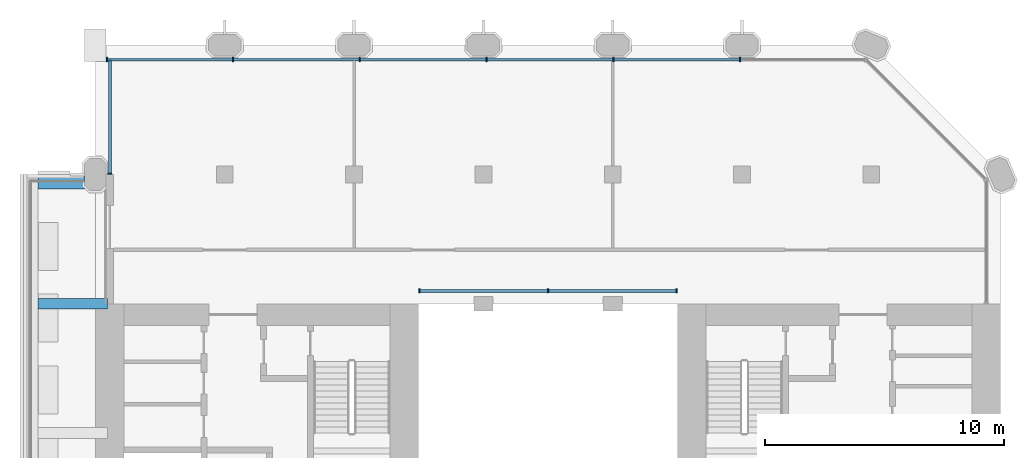
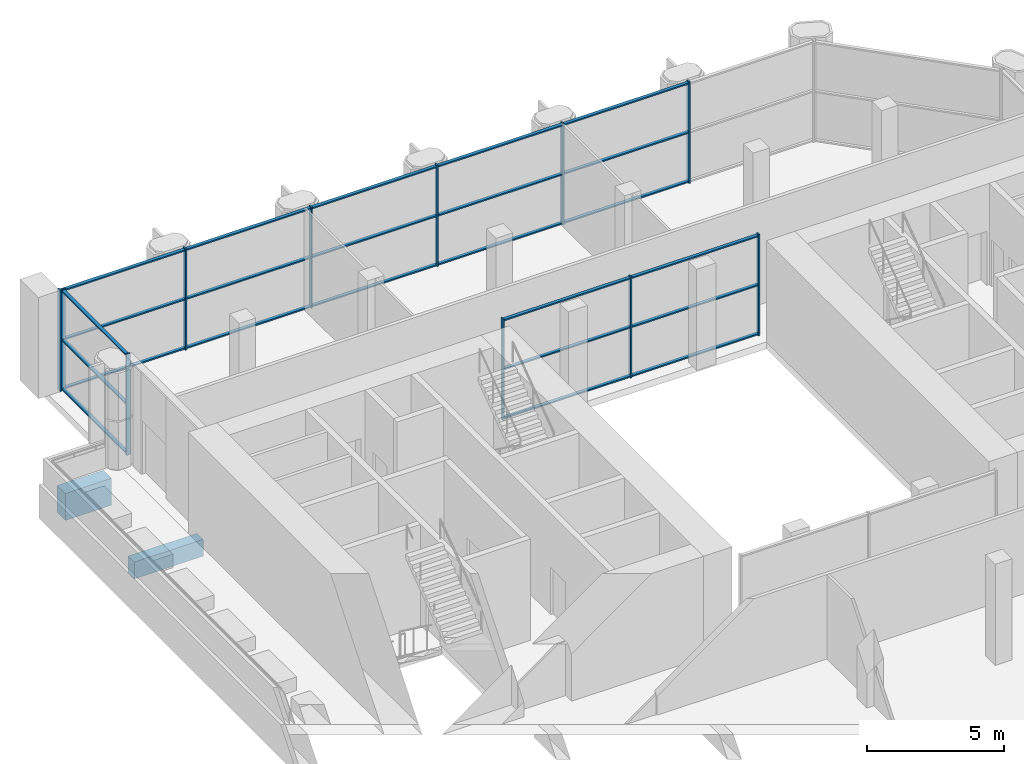
# One storey, part 6 of 14: 35 members, 2 beams, 3 elements without a shape of their own.
"""IFC4 building model written with IfcOpenShell, lengths in metres."""

from ifc_helpers import new_model, si_unit, direction, frame, origin, origin_2d, place, context, subcontext, project, spatial, rectangle, extrude, material, material_profile, profile_set, type_object, element, aggregate, save


model = new_model("IFC4")

# Units and contexts
model_context = context("Model", 3, precision=1e-05, world=origin(), true_north=direction((0.0, 1.0)))
body_context = subcontext(model_context, "Body", "Model", "MODEL_VIEW")
ifc_project = project(units=[si_unit("LENGTHUNIT", "METRE"), si_unit("AREAUNIT", "SQUARE_METRE"), si_unit("VOLUMEUNIT", "CUBIC_METRE"), si_unit("PLANEANGLEUNIT", "RADIAN"), si_unit("MASSUNIT", "GRAM", prefix="KILO")], contexts=[model_context])

# Site, building, storey
site_placement = place(None, origin())
site = spatial("IfcSite", under=ifc_project, at=site_placement, CompositionType="ELEMENT")
building_placement = place(site_placement, origin())
building = spatial("IfcBuilding", under=site, at=building_placement, Name="Tabaq Tower and Sports Hall", CompositionType="ELEMENT")
storey_placement = place(building_placement, frame((0.0, 0.0, 260.5)))
storey = spatial("IfcBuildingStorey", under=building, at=storey_placement, Name="L63", CompositionType="ELEMENT", Elevation=260.5)

# Curtain wall, members
ifc_material_1 = material(Name="Aluminium alloy 6063-T6 framed glazing", Category="aluminium")
curtain_wall_type_1 = type_object("IfcCurtainWallType", Name="CW1 curtain wall", PredefinedType="USERDEFINED", material=ifc_material_1)
curtain_wall_1_placement = place(storey_placement, origin())
curtain_wall_1 = element("IfcCurtainWall", 1, at=curtain_wall_1_placement, inside=storey, type_object=curtain_wall_type_1, Name="Atrium glazing L63 N", ObjectType="ATRIUM ENCLOSURE", PredefinedType="USERDEFINED")
ifc_material_2 = material(Name="Aluminium alloy 6063-T6", Category="aluminium")
ifc_material_profile_1 = material_profile(ifc_material_2, rectangle(XDim=0.159912109375, YDim=0.06005859375, at=origin_2d()), Name="MULLION 160x60")
ifc_profile_set_1 = profile_set([ifc_material_profile_1], Name="Aluminium alloy 6063-T6")
member_type_1 = type_object("IfcMemberType", Name="CW1 mullion 160x60", PredefinedType="MULLION", material=ifc_profile_set_1)
member_1_placement = place(storey_placement, frame((18.929931640625, 32.949951171875, 0.0), z_axis=(0.0, 0.0, 1.0), x_axis=(0.0, 1.0, 0.0)))
member_1 = element("IfcMember", 2, at=member_1_placement, type_object=member_type_1, Name="CW1 mullion 1", PredefinedType="MULLION", context=body_context, shape_type="SweptSolid", body=[
    extrude(rectangle(XDim=0.159912109375, YDim=0.06005859375, at=origin_2d()), origin(), (0.0, 0.0, 1.0), 4.5),
])
member_2_placement = place(storey_placement, frame((24.300048828125, 32.949951171875, 0.0), z_axis=(0.0, 0.0, 1.0), x_axis=(0.0, 1.0, 0.0)))
member_2 = element("IfcMember", 3, at=member_2_placement, type_object=member_type_1, Name="CW1 mullion 2", PredefinedType="MULLION", context=body_context, shape_type="SweptSolid", body=[
    extrude(rectangle(XDim=0.159912109375, YDim=0.06005859375, at=origin_2d()), origin(), (0.0, 0.0, 1.0), 4.5),
])
member_3_placement = place(storey_placement, frame((29.669921875, 32.949951171875, 0.0), z_axis=(0.0, 0.0, 1.0), x_axis=(0.0, 1.0, 0.0)))
member_3 = element("IfcMember", 4, at=member_3_placement, type_object=member_type_1, Name="CW1 mullion 3", PredefinedType="MULLION", context=body_context, shape_type="SweptSolid", body=[
    extrude(rectangle(XDim=0.159912109375, YDim=0.06005859375, at=origin_2d()), origin(), (0.0, 0.0, 1.0), 4.5),
])
ifc_material_3 = material(Name="Aluminium alloy 6063-T6", Category="aluminium")
ifc_material_profile_2 = material_profile(ifc_material_3, rectangle(XDim=0.139892578125, YDim=0.06005859375, at=origin_2d()), Name="TRANSOM 140x60")
ifc_profile_set_2 = profile_set([ifc_material_profile_2], Name="Aluminium alloy 6063-T6")
member_type_2 = type_object("IfcMemberType", Name="CW1 transom 140x60", PredefinedType="USERDEFINED", material=ifc_profile_set_2)
member_4_placement = place(storey_placement, frame((18.9599609375, 32.949951171875, 0.070068359375), z_axis=(1.0, 0.0, 0.0), x_axis=(0.0, 1.0, 0.0)))
member_4 = element("IfcMember", 5, at=member_4_placement, type_object=member_type_2, Name="CW1 transom 1.1", ObjectType="TRANSOM", PredefinedType="USERDEFINED", context=body_context, shape_type="SweptSolid", body=[
    extrude(rectangle(XDim=0.139892578125, YDim=0.06005859375, at=origin_2d()), origin(), (0.0, 0.0, 1.0), 5.31005859375),
])
member_5_placement = place(storey_placement, frame((18.9599609375, 32.949951171875, 2.25), z_axis=(1.0, 0.0, 0.0), x_axis=(0.0, 1.0, 0.0)))
member_5 = element("IfcMember", 6, at=member_5_placement, type_object=member_type_2, Name="CW1 transom 1.2", ObjectType="TRANSOM", PredefinedType="USERDEFINED", context=body_context, shape_type="SweptSolid", body=[
    extrude(rectangle(XDim=0.139892578125, YDim=0.06005859375, at=origin_2d()), origin(), (0.0, 0.0, 1.0), 5.31005859375),
])
member_6_placement = place(storey_placement, frame((18.9599609375, 32.949951171875, 4.429931640625), z_axis=(1.0, 0.0, 0.0), x_axis=(0.0, 1.0, 0.0)))
member_6 = element("IfcMember", 7, at=member_6_placement, type_object=member_type_2, Name="CW1 transom 1.3", ObjectType="TRANSOM", PredefinedType="USERDEFINED", context=body_context, shape_type="SweptSolid", body=[
    extrude(rectangle(XDim=0.139892578125, YDim=0.06005859375, at=origin_2d()), origin(), (0.0, 0.0, 1.0), 5.31005859375),
])
member_7_placement = place(storey_placement, frame((24.330078125, 32.949951171875, 0.070068359375), z_axis=(1.0, 0.0, 0.0), x_axis=(0.0, 1.0, 0.0)))
member_7 = element("IfcMember", 8, at=member_7_placement, type_object=member_type_2, Name="CW1 transom 2.1", ObjectType="TRANSOM", PredefinedType="USERDEFINED", context=body_context, shape_type="SweptSolid", body=[
    extrude(rectangle(XDim=0.139892578125, YDim=0.06005859375, at=origin_2d()), origin(), (0.0, 0.0, 1.0), 5.309814453125),
])
member_8_placement = place(storey_placement, frame((24.330078125, 32.949951171875, 2.25), z_axis=(1.0, 0.0, 0.0), x_axis=(0.0, 1.0, 0.0)))
member_8 = element("IfcMember", 9, at=member_8_placement, type_object=member_type_2, Name="CW1 transom 2.2", ObjectType="TRANSOM", PredefinedType="USERDEFINED", context=body_context, shape_type="SweptSolid", body=[
    extrude(rectangle(XDim=0.139892578125, YDim=0.06005859375, at=origin_2d()), origin(), (0.0, 0.0, 1.0), 5.309814453125),
])
member_9_placement = place(storey_placement, frame((24.330078125, 32.949951171875, 4.429931640625), z_axis=(1.0, 0.0, 0.0), x_axis=(0.0, 1.0, 0.0)))
member_9 = element("IfcMember", 10, at=member_9_placement, type_object=member_type_2, Name="CW1 transom 2.3", ObjectType="TRANSOM", PredefinedType="USERDEFINED", context=body_context, shape_type="SweptSolid", body=[
    extrude(rectangle(XDim=0.139892578125, YDim=0.06005859375, at=origin_2d()), origin(), (0.0, 0.0, 1.0), 5.309814453125),
])
aggregate(curtain_wall_1, [member_1, member_2, member_3, member_4, member_5, member_6, member_7, member_8, member_9])

ifc_material_4 = material(Name="Aluminium alloy 6063-T6 framed glazing", Category="aluminium")
curtain_wall_type_2 = type_object("IfcCurtainWallType", Name="CW3 curtain wall", PredefinedType="USERDEFINED", material=ifc_material_4)
curtain_wall_2_placement = place(storey_placement, origin())
curtain_wall_2 = element("IfcCurtainWall", 11, at=curtain_wall_2_placement, inside=storey, type_object=curtain_wall_type_2, Name="Garden Floor Wall L63 N", ObjectType="GARDEN FLOOR WALL", PredefinedType="USERDEFINED")
ifc_material_5 = material(Name="Aluminium alloy 6063-T6", Category="aluminium")
ifc_material_profile_3 = material_profile(ifc_material_5, rectangle(XDim=0.179931640625, YDim=0.06005859375, at=origin_2d()), Name="MULLION 180x60")
ifc_profile_set_3 = profile_set([ifc_material_profile_3], Name="Aluminium alloy 6063-T6")
member_type_3 = type_object("IfcMemberType", Name="CW3 mullion 180x60", PredefinedType="MULLION", material=ifc_profile_set_3)
member_10_placement = place(storey_placement, frame((32.319580078125, 42.60009765625, 0.0), z_axis=(0.0, 0.0, 1.0), x_axis=(0.0, -1.0, 0.0)))
member_10 = element("IfcMember", 12, at=member_10_placement, type_object=member_type_3, Name="CW3 mullion 2", PredefinedType="MULLION", context=body_context, shape_type="SweptSolid", body=[
    extrude(rectangle(XDim=0.179931640625, YDim=0.06005859375, at=origin_2d()), origin(), (0.0, 0.0, 1.0), 4.5),
])
member_11_placement = place(storey_placement, frame((27.025634765625, 42.60009765625, 0.0), z_axis=(0.0, 0.0, 1.0), x_axis=(0.0, -1.0, 0.0)))
member_11 = element("IfcMember", 13, at=member_11_placement, type_object=member_type_3, Name="CW3 mullion 3", PredefinedType="MULLION", context=body_context, shape_type="SweptSolid", body=[
    extrude(rectangle(XDim=0.179931640625, YDim=0.06005859375, at=origin_2d()), origin(), (0.0, 0.0, 1.0), 4.5),
])
member_12_placement = place(storey_placement, frame((21.731689453125, 42.60009765625, 0.0), z_axis=(0.0, 0.0, 1.0), x_axis=(0.0, -1.0, 0.0)))
member_12 = element("IfcMember", 14, at=member_12_placement, type_object=member_type_3, Name="CW3 mullion 4", PredefinedType="MULLION", context=body_context, shape_type="SweptSolid", body=[
    extrude(rectangle(XDim=0.179931640625, YDim=0.06005859375, at=origin_2d()), origin(), (0.0, 0.0, 1.0), 4.5),
])
member_13_placement = place(storey_placement, frame((16.43798828125, 42.60009765625, 0.0), z_axis=(0.0, 0.0, 1.0), x_axis=(0.0, -1.0, 0.0)))
member_13 = element("IfcMember", 15, at=member_13_placement, type_object=member_type_3, Name="CW3 mullion 5", PredefinedType="MULLION", context=body_context, shape_type="SweptSolid", body=[
    extrude(rectangle(XDim=0.179931640625, YDim=0.06005859375, at=origin_2d()), origin(), (0.0, 0.0, 1.0), 4.5),
])
member_14_placement = place(storey_placement, frame((11.14404296875, 42.60009765625, 0.0), z_axis=(0.0, 0.0, 1.0), x_axis=(0.0, -1.0, 0.0)))
member_14 = element("IfcMember", 16, at=member_14_placement, type_object=member_type_3, Name="CW3 mullion 6", PredefinedType="MULLION", context=body_context, shape_type="SweptSolid", body=[
    extrude(rectangle(XDim=0.179931640625, YDim=0.06005859375, at=origin_2d()), origin(), (0.0, 0.0, 1.0), 4.5),
])
member_15_placement = place(storey_placement, frame((5.8798828125, 42.60009765625, 0.0), z_axis=(0.0, 0.0, 1.0), x_axis=(0.0, -1.0, 0.0)))
member_15 = element("IfcMember", 17, at=member_15_placement, type_object=member_type_3, Name="CW3 mullion 7", PredefinedType="MULLION", context=body_context, shape_type="SweptSolid", body=[
    extrude(rectangle(XDim=0.179931640625, YDim=0.06005859375, at=origin_2d()), origin(), (0.0, 0.0, 1.0), 4.5),
])

curtain_wall_3_placement = place(storey_placement, origin())
curtain_wall_3 = element("IfcCurtainWall", 18, at=curtain_wall_3_placement, inside=storey, type_object=curtain_wall_type_2, Name="Garden Floor Wall L63 W", ObjectType="GARDEN FLOOR WALL", PredefinedType="USERDEFINED")
member_16_placement = place(storey_placement, frame((6.0, 42.570068359375, 0.0), z_axis=(0.0, 0.0, 1.0), x_axis=(1.0, 0.0, 0.0)))
member_16 = element("IfcMember", 19, at=member_16_placement, type_object=member_type_3, Name="CW3 mullion 1", PredefinedType="MULLION", context=body_context, shape_type="SweptSolid", body=[
    extrude(rectangle(XDim=0.179931640625, YDim=0.06005859375, at=origin_2d()), origin(), (0.0, 0.0, 1.0), 4.5),
])
member_17_placement = place(storey_placement, frame((6.0, 37.830078125, 0.0), z_axis=(0.0, 0.0, 1.0), x_axis=(1.0, 0.0, 0.0)))
member_17 = element("IfcMember", 20, at=member_17_placement, type_object=member_type_3, Name="CW3 mullion 2", PredefinedType="MULLION", context=body_context, shape_type="SweptSolid", body=[
    extrude(rectangle(XDim=0.179931640625, YDim=0.06005859375, at=origin_2d()), origin(), (0.0, 0.0, 1.0), 4.5),
])

# Member
ifc_material_6 = material(Name="Aluminium alloy 6063-T6", Category="aluminium")
ifc_material_profile_4 = material_profile(ifc_material_6, rectangle(XDim=0.139892578125, YDim=0.06005859375, at=origin_2d()), Name="TRANSOM 140x60")
ifc_profile_set_4 = profile_set([ifc_material_profile_4], Name="Aluminium alloy 6063-T6")
member_type_4 = type_object("IfcMemberType", Name="CW3 transom 140x60", PredefinedType="USERDEFINED", material=ifc_profile_set_4)
member_18_placement = place(storey_placement, frame((32.28955078125, 42.60009765625, 0.070068359375), z_axis=(-1.0, 0.0, 0.0), x_axis=(0.0, -1.0, 0.0)))
member_18 = element("IfcMember", 21, at=member_18_placement, type_object=member_type_4, Name="CW3 transom 2.1", ObjectType="TRANSOM", PredefinedType="USERDEFINED", context=body_context, shape_type="SweptSolid", body=[
    extrude(rectangle(XDim=0.139892578125, YDim=0.06005859375, at=origin_2d()), origin(), (0.0, 0.0, 1.0), 5.23388671875),
])

member_19_placement = place(storey_placement, frame((32.28955078125, 42.60009765625, 2.25), z_axis=(-1.0, 0.0, 0.0), x_axis=(0.0, -1.0, 0.0)))
member_19 = element("IfcMember", 22, at=member_19_placement, type_object=member_type_4, Name="CW3 transom 2.2", ObjectType="TRANSOM", PredefinedType="USERDEFINED", context=body_context, shape_type="SweptSolid", body=[
    extrude(rectangle(XDim=0.139892578125, YDim=0.06005859375, at=origin_2d()), origin(), (0.0, 0.0, 1.0), 5.23388671875),
])

member_20_placement = place(storey_placement, frame((32.28955078125, 42.60009765625, 4.429931640625), z_axis=(-1.0, 0.0, 0.0), x_axis=(0.0, -1.0, 0.0)))
member_20 = element("IfcMember", 23, at=member_20_placement, type_object=member_type_4, Name="CW3 transom 2.3", ObjectType="TRANSOM", PredefinedType="USERDEFINED", context=body_context, shape_type="SweptSolid", body=[
    extrude(rectangle(XDim=0.139892578125, YDim=0.06005859375, at=origin_2d()), origin(), (0.0, 0.0, 1.0), 5.23388671875),
])

member_21_placement = place(storey_placement, frame((26.995849609375, 42.60009765625, 0.070068359375), z_axis=(-1.0, 0.0, 0.0), x_axis=(0.0, -1.0, 0.0)))
member_21 = element("IfcMember", 24, at=member_21_placement, type_object=member_type_4, Name="CW3 transom 3.1", ObjectType="TRANSOM", PredefinedType="USERDEFINED", context=body_context, shape_type="SweptSolid", body=[
    extrude(rectangle(XDim=0.139892578125, YDim=0.06005859375, at=origin_2d()), origin(), (0.0, 0.0, 1.0), 5.234130859375),
])

member_22_placement = place(storey_placement, frame((26.995849609375, 42.60009765625, 2.25), z_axis=(-1.0, 0.0, 0.0), x_axis=(0.0, -1.0, 0.0)))
member_22 = element("IfcMember", 25, at=member_22_placement, type_object=member_type_4, Name="CW3 transom 3.2", ObjectType="TRANSOM", PredefinedType="USERDEFINED", context=body_context, shape_type="SweptSolid", body=[
    extrude(rectangle(XDim=0.139892578125, YDim=0.06005859375, at=origin_2d()), origin(), (0.0, 0.0, 1.0), 5.234130859375),
])

member_23_placement = place(storey_placement, frame((26.995849609375, 42.60009765625, 4.429931640625), z_axis=(-1.0, 0.0, 0.0), x_axis=(0.0, -1.0, 0.0)))
member_23 = element("IfcMember", 26, at=member_23_placement, type_object=member_type_4, Name="CW3 transom 3.3", ObjectType="TRANSOM", PredefinedType="USERDEFINED", context=body_context, shape_type="SweptSolid", body=[
    extrude(rectangle(XDim=0.139892578125, YDim=0.06005859375, at=origin_2d()), origin(), (0.0, 0.0, 1.0), 5.234130859375),
])

member_24_placement = place(storey_placement, frame((21.701904296875, 42.60009765625, 0.070068359375), z_axis=(-1.0, 0.0, 0.0), x_axis=(0.0, -1.0, 0.0)))
member_24 = element("IfcMember", 27, at=member_24_placement, type_object=member_type_4, Name="CW3 transom 4.1", ObjectType="TRANSOM", PredefinedType="USERDEFINED", context=body_context, shape_type="SweptSolid", body=[
    extrude(rectangle(XDim=0.139892578125, YDim=0.06005859375, at=origin_2d()), origin(), (0.0, 0.0, 1.0), 5.234130859375),
])

member_25_placement = place(storey_placement, frame((21.701904296875, 42.60009765625, 2.25), z_axis=(-1.0, 0.0, 0.0), x_axis=(0.0, -1.0, 0.0)))
member_25 = element("IfcMember", 28, at=member_25_placement, type_object=member_type_4, Name="CW3 transom 4.2", ObjectType="TRANSOM", PredefinedType="USERDEFINED", context=body_context, shape_type="SweptSolid", body=[
    extrude(rectangle(XDim=0.139892578125, YDim=0.06005859375, at=origin_2d()), origin(), (0.0, 0.0, 1.0), 5.234130859375),
])

member_26_placement = place(storey_placement, frame((21.701904296875, 42.60009765625, 4.429931640625), z_axis=(-1.0, 0.0, 0.0), x_axis=(0.0, -1.0, 0.0)))
member_26 = element("IfcMember", 29, at=member_26_placement, type_object=member_type_4, Name="CW3 transom 4.3", ObjectType="TRANSOM", PredefinedType="USERDEFINED", context=body_context, shape_type="SweptSolid", body=[
    extrude(rectangle(XDim=0.139892578125, YDim=0.06005859375, at=origin_2d()), origin(), (0.0, 0.0, 1.0), 5.234130859375),
])

member_27_placement = place(storey_placement, frame((16.407958984375, 42.60009765625, 0.070068359375), z_axis=(-1.0, 0.0, 0.0), x_axis=(0.0, -1.0, 0.0)))
member_27 = element("IfcMember", 30, at=member_27_placement, type_object=member_type_4, Name="CW3 transom 5.1", ObjectType="TRANSOM", PredefinedType="USERDEFINED", context=body_context, shape_type="SweptSolid", body=[
    extrude(rectangle(XDim=0.139892578125, YDim=0.06005859375, at=origin_2d()), origin(), (0.0, 0.0, 1.0), 5.234130859375),
])

member_28_placement = place(storey_placement, frame((16.407958984375, 42.60009765625, 2.25), z_axis=(-1.0, 0.0, 0.0), x_axis=(0.0, -1.0, 0.0)))
member_28 = element("IfcMember", 31, at=member_28_placement, type_object=member_type_4, Name="CW3 transom 5.2", ObjectType="TRANSOM", PredefinedType="USERDEFINED", context=body_context, shape_type="SweptSolid", body=[
    extrude(rectangle(XDim=0.139892578125, YDim=0.06005859375, at=origin_2d()), origin(), (0.0, 0.0, 1.0), 5.234130859375),
])

member_29_placement = place(storey_placement, frame((16.407958984375, 42.60009765625, 4.429931640625), z_axis=(-1.0, 0.0, 0.0), x_axis=(0.0, -1.0, 0.0)))
member_29 = element("IfcMember", 32, at=member_29_placement, type_object=member_type_4, Name="CW3 transom 5.3", ObjectType="TRANSOM", PredefinedType="USERDEFINED", context=body_context, shape_type="SweptSolid", body=[
    extrude(rectangle(XDim=0.139892578125, YDim=0.06005859375, at=origin_2d()), origin(), (0.0, 0.0, 1.0), 5.234130859375),
])

member_30_placement = place(storey_placement, frame((11.114013671875, 42.60009765625, 0.070068359375), z_axis=(-1.0, 0.0, 0.0), x_axis=(0.0, -1.0, 0.0)))
member_30 = element("IfcMember", 33, at=member_30_placement, type_object=member_type_4, Name="CW3 transom 6.1", ObjectType="TRANSOM", PredefinedType="USERDEFINED", context=body_context, shape_type="SweptSolid", body=[
    extrude(rectangle(XDim=0.139892578125, YDim=0.06005859375, at=origin_2d()), origin(), (0.0, 0.0, 1.0), 5.2041015625),
])

member_31_placement = place(storey_placement, frame((11.114013671875, 42.60009765625, 2.25), z_axis=(-1.0, 0.0, 0.0), x_axis=(0.0, -1.0, 0.0)))
member_31 = element("IfcMember", 34, at=member_31_placement, type_object=member_type_4, Name="CW3 transom 6.2", ObjectType="TRANSOM", PredefinedType="USERDEFINED", context=body_context, shape_type="SweptSolid", body=[
    extrude(rectangle(XDim=0.139892578125, YDim=0.06005859375, at=origin_2d()), origin(), (0.0, 0.0, 1.0), 5.2041015625),
])

member_32_placement = place(storey_placement, frame((11.114013671875, 42.60009765625, 4.429931640625), z_axis=(-1.0, 0.0, 0.0), x_axis=(0.0, -1.0, 0.0)))
member_32 = element("IfcMember", 35, at=member_32_placement, type_object=member_type_4, Name="CW3 transom 6.3", ObjectType="TRANSOM", PredefinedType="USERDEFINED", context=body_context, shape_type="SweptSolid", body=[
    extrude(rectangle(XDim=0.139892578125, YDim=0.06005859375, at=origin_2d()), origin(), (0.0, 0.0, 1.0), 5.2041015625),
])

aggregate(curtain_wall_2, [member_10, member_11, member_12, member_13, member_14, member_15, member_18, member_19, member_20, member_21, member_22, member_23, member_24, member_25, member_26, member_27, member_28, member_29, member_30, member_31, member_32])

member_33_placement = place(storey_placement, frame((6.0, 42.5400390625, 0.070068359375), z_axis=(0.0, -1.0, 0.0), x_axis=(1.0, 0.0, 0.0)))
member_33 = element("IfcMember", 36, at=member_33_placement, type_object=member_type_4, Name="CW3 transom 1.1", ObjectType="TRANSOM", PredefinedType="USERDEFINED", context=body_context, shape_type="SweptSolid", body=[
    extrude(rectangle(XDim=0.139892578125, YDim=0.06005859375, at=origin_2d()), origin(), (0.0, 0.0, 1.0), 4.679931640625),
])

member_34_placement = place(storey_placement, frame((6.0, 42.5400390625, 2.25), z_axis=(0.0, -1.0, 0.0), x_axis=(1.0, 0.0, 0.0)))
member_34 = element("IfcMember", 37, at=member_34_placement, type_object=member_type_4, Name="CW3 transom 1.2", ObjectType="TRANSOM", PredefinedType="USERDEFINED", context=body_context, shape_type="SweptSolid", body=[
    extrude(rectangle(XDim=0.139892578125, YDim=0.06005859375, at=origin_2d()), origin(), (0.0, 0.0, 1.0), 4.679931640625),
])

member_35_placement = place(storey_placement, frame((6.0, 42.5400390625, 4.429931640625), z_axis=(0.0, -1.0, 0.0), x_axis=(1.0, 0.0, 0.0)))
member_35 = element("IfcMember", 38, at=member_35_placement, type_object=member_type_4, Name="CW3 transom 1.3", ObjectType="TRANSOM", PredefinedType="USERDEFINED", context=body_context, shape_type="SweptSolid", body=[
    extrude(rectangle(XDim=0.139892578125, YDim=0.06005859375, at=origin_2d()), origin(), (0.0, 0.0, 1.0), 4.679931640625),
])

aggregate(curtain_wall_3, [member_16, member_17, member_33, member_34, member_35])

# Beams
ifc_material_7 = material(Name="Concrete C40/50", Category="concrete")
ifc_material_profile_5 = material_profile(ifc_material_7, rectangle(XDim=0.60009765625, YDim=1.199951171875, at=origin_2d()), Name="EBT 600x1200")
ifc_profile_set_5 = profile_set([ifc_material_profile_5], Name="Concrete C40/50")
beam_type_1 = type_object("IfcBeamType", Name="Concrete C40/50 PT edge band EBT 600x1200", PredefinedType="BEAM", material=ifc_profile_set_5)
beam_1_placement = place(storey_placement, frame((4.949951171875, 37.5, -0.89990234375), z_axis=(-1.0, 0.0, 0.0), x_axis=(0.0, -1.0, 0.0)))
element("IfcBeam", 39, at=beam_1_placement, inside=storey, type_object=beam_type_1, Name="Tray edge band L63", PredefinedType="BEAM", context=body_context, shape_type="SweptSolid", body=[
    extrude(rectangle(XDim=0.60009765625, YDim=1.199951171875, at=origin_2d()), origin(), (0.0, 0.0, 1.0), 1.949951171875),
])
ifc_material_8 = material(Name="Concrete C40/50", Category="concrete")
ifc_material_profile_6 = material_profile(ifc_material_8, rectangle(XDim=0.449951171875, YDim=0.75, at=origin_2d()), Name="CB 450x750")
ifc_profile_set_6 = profile_set([ifc_material_profile_6], Name="Concrete C40/50")
beam_type_2 = type_object("IfcBeamType", Name="PT CANTILEVER BEAM CB 450x750 C40/50", PredefinedType="BEAM", material=ifc_profile_set_6)
beam_2_placement = place(storey_placement, frame((3.0, 32.39990234375, -0.675048828125), z_axis=(1.0, 0.0, 0.0), x_axis=(0.0, 1.0, 0.0)))
element("IfcBeam", 40, at=beam_2_placement, inside=storey, type_object=beam_type_2, Name="Tray Cantilever Beam L63 T1 span 1", PredefinedType="BEAM", context=body_context, shape_type="SweptSolid", body=[
    extrude(rectangle(XDim=0.449951171875, YDim=0.75, at=origin_2d()), origin(), (0.0, 0.0, 1.0), 2.89990234375),
])

save(model, "model.ifc")
